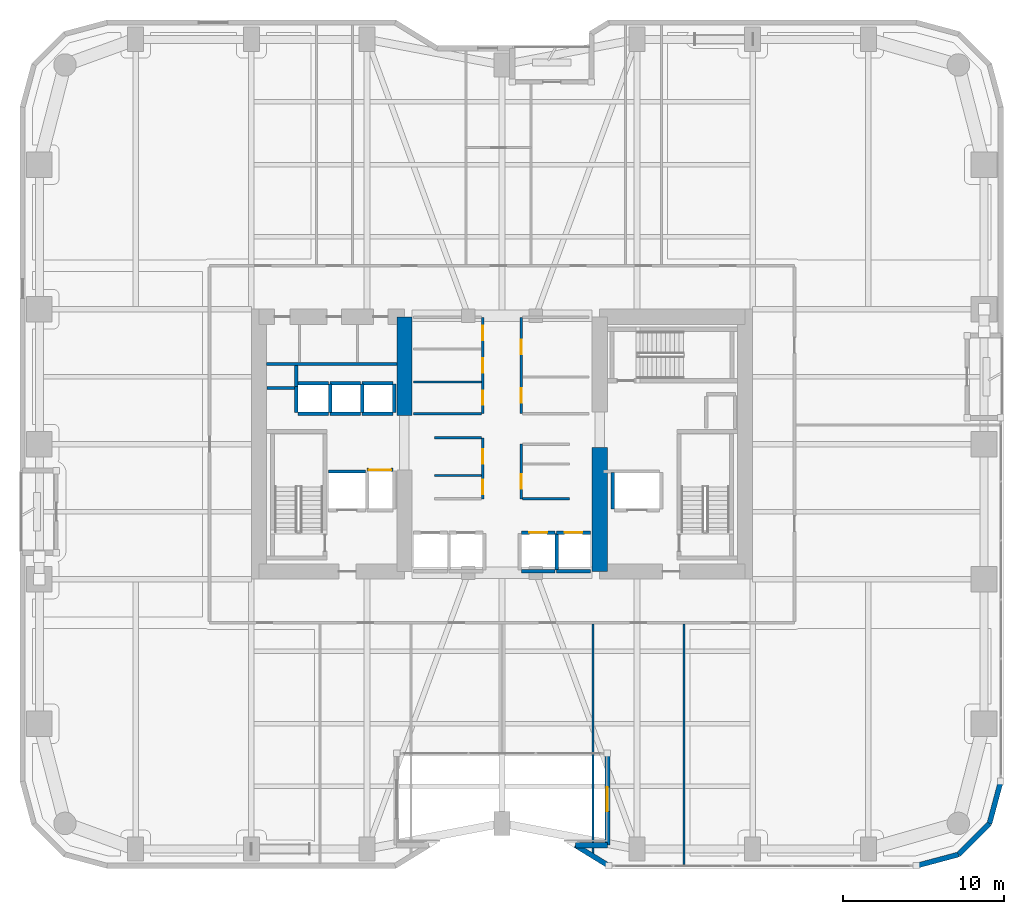
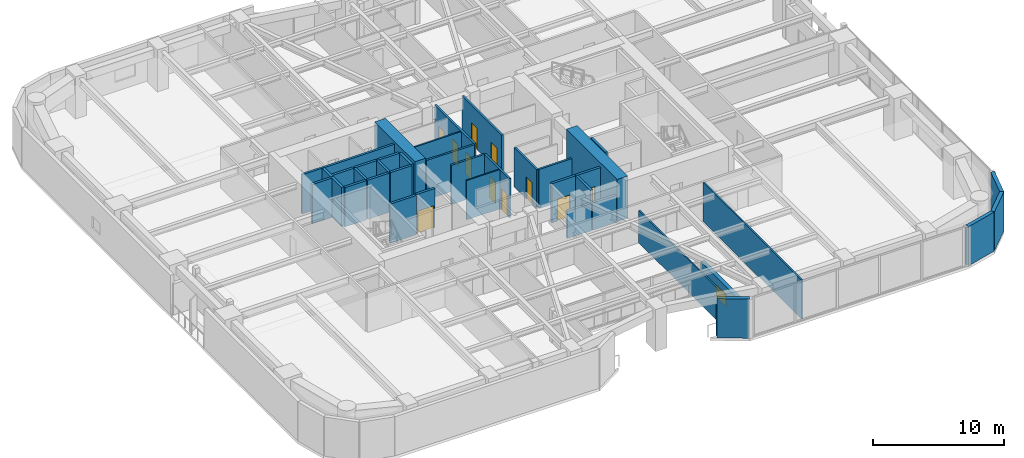
# One storey, part 19 of 26: 40 walls, 11 doors, 1 window, 12 openings.
"""IFC4 building model written with IfcOpenShell, lengths in metres."""

from ifc_helpers import new_model, si_unit, direction, frame, frame_2d, origin, place, context, subcontext, project, spatial, rectangle, extrude, material, layer, layer_set, type_object, element, fill, save


model = new_model("IFC4")

# Units and contexts
model_context = context("Model", 3, precision=1e-05, world=origin(), true_north=direction((0.0, 1.0)))
body_context = subcontext(model_context, "Body", "Model", "MODEL_VIEW")
ifc_project = project(units=[si_unit("LENGTHUNIT", "METRE"), si_unit("AREAUNIT", "SQUARE_METRE"), si_unit("VOLUMEUNIT", "CUBIC_METRE"), si_unit("PLANEANGLEUNIT", "RADIAN"), si_unit("MASSUNIT", "GRAM", prefix="KILO")], contexts=[model_context])

# Site, building, storey
site_placement = place(None, origin())
site = spatial("IfcSite", under=ifc_project, at=site_placement, CompositionType="ELEMENT")
building_placement = place(site_placement, origin())
building = spatial("IfcBuilding", under=site, at=building_placement, Name="Kiyonajd Concourse Tower", CompositionType="ELEMENT")
storey_placement = place(building_placement, frame((0.0, 0.0, 72.89990234375)))
storey = spatial("IfcBuildingStorey", under=building, at=storey_placement, Name="L19", CompositionType="ELEMENT", Elevation=72.89990234375)

# Walls
ifc_material_1 = material(Name="Concrete C80/95", Category="concrete")
ifc_layer_1 = layer(ifc_material_1, 0.949951171875)
ifc_layer_set_1 = layer_set([ifc_layer_1], Name="Concrete C80/95")
wall_type_1 = type_object("IfcWallType", Name="WL-CORE-950", PredefinedType="SHEAR", material=ifc_layer_set_1)
wall_1_placement = place(storey_placement, frame((41.925048828125, 37.800048828125, 0.0), z_axis=(0.0, 0.0, 1.0), x_axis=(0.0, 1.0, 0.0)))
element("IfcWall", 1, at=wall_1_placement, inside=storey, type_object=wall_type_1, Name="L19 West Core Inner North Shear Wall", PredefinedType="SHEAR", context=body_context, shape_type="SweptSolid", body=[
    extrude(rectangle(XDim=6.125, YDim=0.949951171875, at=frame_2d((3.0625, 0.0))), origin(), (0.0, 0.0, 1.0), 3.900146484375),
])
wall_2_placement = place(storey_placement, frame((54.074951171875, 28.074951171875, 0.0), z_axis=(0.0, 0.0, 1.0), x_axis=(0.0, 1.0, 0.0)))
element("IfcWall", 2, at=wall_2_placement, inside=storey, type_object=wall_type_1, Name="L19 East Core Inner South Shear Wall", PredefinedType="SHEAR", context=body_context, shape_type="SweptSolid", body=[
    extrude(rectangle(XDim=7.72509765625, YDim=0.949951171875, at=frame_2d((3.862548828125, 0.0))), origin(), (0.0, 0.0, 1.0), 3.900146484375),
])
ifc_material_2 = material(Name="Precast concrete C50/60", Category="concrete")
ifc_layer_2 = layer(ifc_material_2, 0.320068359375)
ifc_layer_set_2 = layer_set([ifc_layer_2], Name="Precast concrete C50/60")
wall_type_2 = type_object("IfcWallType", Name="WL-EXT-320", PredefinedType="SOLIDWALL", material=ifc_layer_set_2)
wall_3_placement = place(storey_placement, frame((79.0400390625, 15.02099609375, 0.0), z_axis=(0.0, 0.0, 1.0), x_axis=(-0.25869736047, -0.965958423373, 0.0)))
element("IfcWall", 3, at=wall_3_placement, inside=storey, type_object=wall_type_2, Name="L19 Exterior Concrete Frame Wall 06", PredefinedType="SOLIDWALL", context=body_context, shape_type="SweptSolid", body=[
    extrude(rectangle(XDim=2.731201171875, YDim=0.320068359375, at=frame_2d((1.36572265625, 0.0))), origin(), (0.0, 0.0, 1.0), 3.64013671875),
])
wall_4_placement = place(storey_placement, frame((78.33349609375, 12.3828125, 0.0), z_axis=(0.0, 0.0, 1.0), x_axis=(-0.707106781187, -0.707106781187, 0.0)))
element("IfcWall", 4, at=wall_4_placement, inside=storey, type_object=wall_type_2, Name="L19 Exterior Concrete Frame Wall 07", PredefinedType="SOLIDWALL", context=body_context, shape_type="SweptSolid", body=[
    extrude(rectangle(XDim=2.7099609375, YDim=0.320068359375, at=frame_2d((1.35498046875, 0.0))), origin(), (0.0, 0.0, 1.0), 3.64013671875),
])
wall_5_placement = place(storey_placement, frame((76.417236328125, 10.466552734375, 0.0), z_axis=(0.0, 0.0, 1.0), x_axis=(-0.965964405026, -0.25867502435, 0.0)))
element("IfcWall", 5, at=wall_5_placement, inside=storey, type_object=wall_type_2, Name="L19 Exterior Concrete Frame Wall 08", PredefinedType="SOLIDWALL", context=body_context, shape_type="SweptSolid", body=[
    extrude(rectangle(XDim=2.7314453125, YDim=0.320068359375, at=frame_2d((1.36572265625, 0.0))), origin(), (0.0, 0.0, 1.0), 3.64013671875),
])
wall_6_placement = place(storey_placement, frame((54.645263671875, 9.760009765625, 0.0), z_axis=(0.0, 0.0, 1.0), x_axis=(-0.8516617488, 0.524091848469, 0.0)))
element("IfcWall", 6, at=wall_6_placement, inside=storey, type_object=wall_type_2, Name="L19 Exterior Concrete Frame Wall 10", PredefinedType="SOLIDWALL", context=body_context, shape_type="SweptSolid", body=[
    extrude(rectangle(XDim=2.4423828125, YDim=0.320068359375, at=frame_2d((1.22119140625, 0.0))), origin(), (0.0, 0.0, 1.0), 3.64013671875),
])
wall_7_placement = place(storey_placement, frame((52.565185546875, 11.0400390625, 0.0), z_axis=(0.0, 0.0, 1.0), x_axis=(1.0, 0.0, 0.0)))
element("IfcWall", 7, at=wall_7_placement, inside=storey, type_object=wall_type_2, Name="L19 Exterior Concrete Frame Wall 11", PredefinedType="SOLIDWALL", context=body_context, shape_type="SweptSolid", body=[
    extrude(rectangle(XDim=1.994873046875, YDim=0.320068359375, at=frame_2d((0.99755859375, 0.0))), origin(), (0.0, 0.0, 1.0), 2.875),
])

# Wall, opening, window
wall_8_placement = place(storey_placement, frame((54.56005859375, 11.0400390625, 0.0), z_axis=(0.0, 0.0, 1.0), x_axis=(0.0, 1.0, 0.0)))
wall_8 = element("IfcWall", 8, at=wall_8_placement, inside=storey, type_object=wall_type_2, Name="L19 Exterior Concrete Frame Wall 12", PredefinedType="SOLIDWALL", context=body_context, shape_type="SweptSolid", body=[
    extrude(rectangle(XDim=5.719970703125, YDim=0.320068359375, at=frame_2d((2.85986328125, 0.0))), origin(), (0.0, 0.0, 1.0), 2.875),
])
opening_1_placement = place(wall_8_placement, frame((2.110107421875, 0.0, 0.85009765625)))
opening_1 = element("IfcOpeningElement", 9, at=opening_1_placement, cuts=wall_8, Name="Opening WN2", PredefinedType="OPENING", context=body_context, shape_type="SweptSolid", body=[
    extrude(rectangle(XDim=1.5, YDim=1.10009765625, at=frame_2d((0.75, 0.550048828125))), frame((0.0, 0.169921875, 0.0), z_axis=(0.0, -1.0, 0.0), x_axis=(1.0, 0.0, 0.0)), (0.0, 0.0, 1.0), 0.340087890625),
])
ifc_material_3 = material(Name="Double Low-E Insulated Glass", Category="glass")
window_type = type_object("IfcWindowType", Name="WN-VIS-1500x1100", PartitioningType="SINGLE_PANEL", PredefinedType="WINDOW", material=ifc_material_3)
window_placement = place(opening_1_placement, origin())
window = element("IfcWindow", 10, at=window_placement, inside=storey, type_object=window_type, Name="L19 Modular Facade Vision Window 12", OverallHeight=1.10009765625, OverallWidth=1.5, PartitioningType="SINGLE_PANEL", PredefinedType="WINDOW", context=body_context, shape_type="SweptSolid", body=[
    extrude(rectangle(XDim=1.5, YDim=1.10009765625, at=frame_2d((0.75, 0.550048828125))), frame((0.0, 0.030029296875, 0.0), z_axis=(0.0, -1.0, 0.0), x_axis=(1.0, 0.0, 0.0)), (0.0, 0.0, 1.0), 0.06005859375),
])
fill(opening_1, window)

# Walls
ifc_material_4 = material(Name="Gypsum Board on Cold-Formed Steel Stud", Category="steel")
ifc_layer_3 = layer(ifc_material_4, 0.125)
ifc_layer_set_3 = layer_set([ifc_layer_3], Name="Gypsum Board on Cold-Formed Steel Stud")
wall_type_3 = type_object("IfcWallType", Name="WL-PART-125", PredefinedType="PARTITIONING", material=ifc_layer_set_3)
wall_9_placement = place(storey_placement, frame((43.800048828125, 34.0439453125, 0.0), z_axis=(0.0, 0.0, 1.0), x_axis=(1.0, 0.0, 0.0)))
element("IfcWall", 11, at=wall_9_placement, inside=storey, type_object=wall_type_3, Name="L19 Interior Partition Wall", PredefinedType="PARTITIONING", context=body_context, shape_type="SweptSolid", body=[
    extrude(rectangle(XDim=2.912841796875, YDim=0.125, at=frame_2d((1.45654296875, 0.0))), origin(), (0.0, 0.0, 1.0), 3.64013671875),
])
wall_10_placement = place(storey_placement, frame((42.5, 39.8798828125, 0.0), z_axis=(0.0, 0.0, 1.0), x_axis=(1.0, 0.0, 0.0)))
element("IfcWall", 12, at=wall_10_placement, inside=storey, type_object=wall_type_3, Name="L19 Interior Partition Wall", PredefinedType="PARTITIONING", context=body_context, shape_type="SweptSolid", body=[
    extrude(rectangle(XDim=4.212890625, YDim=0.125, at=frame_2d((2.1064453125, 0.0))), origin(), (0.0, 0.0, 1.0), 3.64013671875),
])
wall_11_placement = place(storey_placement, frame((53.669921875, 10.514892578125, 0.0), z_axis=(0.0, 0.0, 1.0), x_axis=(0.0, 1.0, 0.0)))
element("IfcWall", 13, at=wall_11_placement, inside=storey, type_object=wall_type_3, Name="L19 Interior Partition Wall", PredefinedType="PARTITIONING", context=body_context, shape_type="SweptSolid", body=[
    extrude(rectangle(XDim=14.2880859375, YDim=0.125, at=frame_2d((7.14404296875, 0.0))), origin(), (0.0, 0.0, 1.0), 3.003173828125),
])
wall_12_placement = place(storey_placement, frame((59.330078125, 9.844970703125, 0.0), z_axis=(0.0, 0.0, 1.0), x_axis=(0.0, 1.0, 0.0)))
element("IfcWall", 14, at=wall_12_placement, inside=storey, type_object=wall_type_3, Name="L19 Interior Partition Wall", PredefinedType="PARTITIONING", context=body_context, shape_type="SweptSolid", body=[
    extrude(rectangle(XDim=14.9580078125, YDim=0.125, at=frame_2d((7.47900390625, 0.0))), origin(), (0.0, 0.0, 1.0), 3.64013671875),
])
ifc_layer_4 = layer(ifc_material_4, 0.18994140625)
ifc_layer_set_4 = layer_set([ifc_layer_4], Name="Gypsum Board on Cold-Formed Steel Stud")
wall_type_4 = type_object("IfcWallType", Name="WL-PLMB-190", PredefinedType="PLUMBINGWALL", material=ifc_layer_set_4)
wall_13_placement = place(storey_placement, frame((33.35009765625, 41.0, 0.0), z_axis=(0.0, 0.0, 1.0), x_axis=(1.0, 0.0, 0.0)))
element("IfcWall", 15, at=wall_13_placement, inside=storey, type_object=wall_type_4, Name="L19 Interior Partition Wall", PredefinedType="PLUMBINGWALL", context=body_context, shape_type="SweptSolid", body=[
    extrude(rectangle(XDim=8.099853515625, YDim=0.18994140625, at=frame_2d((4.0498046875, 0.0))), origin(), (0.0, 0.0, 1.0), 3.64013671875),
])
ifc_layer_5 = layer(ifc_material_4, 0.2099609375)
ifc_layer_set_5 = layer_set([ifc_layer_5], Name="Gypsum Board on Cold-Formed Steel Stud")
wall_type_5 = type_object("IfcWallType", Name="WL-SHAFT-210", PredefinedType="PARTITIONING", material=ifc_layer_set_5)
wall_14_placement = place(storey_placement, frame((33.360107421875, 39.5, 0.0), z_axis=(0.0, 0.0, 1.0), x_axis=(1.0, 0.0, 0.0)))
element("IfcWall", 16, at=wall_14_placement, inside=storey, type_object=wall_type_5, Name="L19 Shaft Enclosure Wall", PredefinedType="PARTITIONING", context=body_context, shape_type="SweptSolid", body=[
    extrude(rectangle(XDim=1.85986328125, YDim=0.2099609375, at=frame_2d((0.929931640625, 0.0))), origin(), (0.0, 0.0, 1.0), 3.64013671875),
])
wall_15_placement = place(storey_placement, frame((35.199951171875, 39.580078125, 0.0), z_axis=(0.0, 0.0, 1.0), x_axis=(0.0, 1.0, 0.0)))
element("IfcWall", 17, at=wall_15_placement, inside=storey, type_object=wall_type_5, Name="L19 Shaft Enclosure Wall", PredefinedType="PARTITIONING", context=body_context, shape_type="SweptSolid", body=[
    extrude(rectangle(XDim=1.31982421875, YDim=0.2099609375, at=frame_2d((0.659912109375, 0.0))), origin(), (0.0, 0.0, 1.0), 3.64013671875),
])
wall_16_placement = place(storey_placement, frame((37.199951171875, 34.300048828125, 0.0), z_axis=(0.0, 0.0, 1.0), x_axis=(1.0, 0.0, 0.0)))
element("IfcWall", 18, at=wall_16_placement, inside=storey, type_object=wall_type_5, Name="L19 Shaft Enclosure Wall", PredefinedType="PARTITIONING", context=body_context, shape_type="SweptSolid", body=[
    extrude(rectangle(XDim=2.300048828125, YDim=0.2099609375, at=frame_2d((1.14990234375, 0.0))), origin(), (0.0, 0.0, 1.0), 3.64013671875),
])
wall_17_placement = place(storey_placement, frame((54.89990234375, 31.9599609375, 0.0), z_axis=(0.0, 0.0, 1.0), x_axis=(0.0, 1.0, 0.0)))
element("IfcWall", 19, at=wall_17_placement, inside=storey, type_object=wall_type_5, Name="L19 Shaft Enclosure Wall", PredefinedType="PARTITIONING", context=body_context, shape_type="SweptSolid", body=[
    extrude(rectangle(XDim=2.280029296875, YDim=0.2099609375, at=frame_2d((1.14013671875, 0.0))), origin(), (0.0, 0.0, 1.0), 3.64013671875),
])

# Wall, opening, door
wall_18_placement = place(storey_placement, frame((39.60009765625, 34.39990234375, 0.0), z_axis=(0.0, 0.0, 1.0), x_axis=(1.0, 0.0, 0.0)))
wall_18 = element("IfcWall", 20, at=wall_18_placement, inside=storey, type_object=wall_type_5, Name="L19 Shaft Enclosure Wall", PredefinedType="PARTITIONING", context=body_context, shape_type="SweptSolid", body=[
    extrude(rectangle(XDim=1.599853515625, YDim=0.2099609375, at=frame_2d((0.7998046875, 0.0))), origin(), (0.0, 0.0, 1.0), 3.64013671875),
])
opening_2_placement = place(wall_18_placement, frame((0.10009765625, 0.0, 0.0)))
opening_2 = element("IfcOpeningElement", 21, at=opening_2_placement, cuts=wall_18, Name="Opening LD3", PredefinedType="OPENING", context=body_context, shape_type="SweptSolid", body=[
    extrude(rectangle(XDim=1.39990234375, YDim=2.06005859375, at=frame_2d((0.699951171875, 1.030029296875))), frame((0.0, 0.114990234375, 0.0), z_axis=(0.0, -1.0, 0.0), x_axis=(1.0, 0.0, 0.0)), (0.0, 0.0, 1.0), 0.22998046875),
])
ifc_material_5 = material(Name="Brushed Stainless Steel Cab Assembly", Category="steel")
door_type_1 = type_object("IfcDoorType", Name="DR-LD-1400", OperationType="DOUBLE_DOOR_SLIDING", PredefinedType="DOOR", material=ifc_material_5)
door_1_placement = place(opening_2_placement, origin())
door_1 = element("IfcDoor", 22, at=door_1_placement, inside=storey, type_object=door_type_1, Name="L19 Lift SVL1 Sliding Landing Door", OperationType="DOUBLE_DOOR_SLIDING", OverallHeight=2.06005859375, OverallWidth=1.39990234375, PredefinedType="DOOR", context=body_context, shape_type="SweptSolid", body=[
    extrude(rectangle(XDim=1.39990234375, YDim=2.06005859375, at=frame_2d((0.699951171875, 1.030029296875))), frame((0.0, 0.02490234375, 0.0), z_axis=(0.0, -1.0, 0.0), x_axis=(1.0, 0.0, 0.0)), (0.0, 0.0, 1.0), 0.050048828125),
])
fill(opening_2, door_1)

wall_19_placement = place(storey_placement, frame((49.199951171875, 30.5, 0.0), z_axis=(0.0, 0.0, 1.0), x_axis=(1.0, 0.0, 0.0)))
wall_19 = element("IfcWall", 23, at=wall_19_placement, inside=storey, type_object=wall_type_5, Name="L19 Shaft Enclosure Wall", PredefinedType="PARTITIONING", context=body_context, shape_type="SweptSolid", body=[
    extrude(rectangle(XDim=2.10009765625, YDim=0.2099609375, at=frame_2d((1.050048828125, 0.0))), origin(), (0.0, 0.0, 1.0), 3.64013671875),
])
opening_3_placement = place(wall_19_placement, frame((0.5, 0.0, 0.0)))
opening_3 = element("IfcOpeningElement", 24, at=opening_3_placement, cuts=wall_19, Name="Opening LD1", PredefinedType="OPENING", context=body_context, shape_type="SweptSolid", body=[
    extrude(rectangle(XDim=1.10009765625, YDim=2.0400390625, at=frame_2d((0.550048828125, 1.02001953125))), frame((0.0, 0.114990234375, 0.0), z_axis=(0.0, -1.0, 0.0), x_axis=(1.0, 0.0, 0.0)), (0.0, 0.0, 1.0), 0.22998046875),
])
door_type_2 = type_object("IfcDoorType", Name="DR-LD-1100", OperationType="DOUBLE_DOOR_SLIDING", PredefinedType="DOOR", material=ifc_material_5)
door_2_placement = place(opening_3_placement, origin())
door_2 = element("IfcDoor", 25, at=door_2_placement, inside=storey, type_object=door_type_2, Name="L19 Lift PL-L3 Sliding Landing Door", OperationType="DOUBLE_DOOR_SLIDING", OverallHeight=2.0400390625, OverallWidth=1.10009765625, PredefinedType="DOOR", context=body_context, shape_type="SweptSolid", body=[
    extrude(rectangle(XDim=1.10009765625, YDim=2.0400390625, at=frame_2d((0.550048828125, 1.02001953125))), frame((0.0, 0.02490234375, 0.0), z_axis=(0.0, -1.0, 0.0), x_axis=(1.0, 0.0, 0.0)), (0.0, 0.0, 1.0), 0.050048828125),
])
fill(opening_3, door_2)

# Walls
wall_20_placement = place(storey_placement, frame((49.199951171875, 28.10009765625, 0.0), z_axis=(0.0, 0.0, 1.0), x_axis=(1.0, 0.0, 0.0)))
element("IfcWall", 26, at=wall_20_placement, inside=storey, type_object=wall_type_5, Name="L19 Shaft Enclosure Wall", PredefinedType="PARTITIONING", context=body_context, shape_type="SweptSolid", body=[
    extrude(rectangle(XDim=2.10009765625, YDim=0.2099609375, at=frame_2d((1.050048828125, 0.0))), origin(), (0.0, 0.0, 1.0), 2.525146484375),
])
wall_21_placement = place(storey_placement, frame((51.39990234375, 28.159912109375, 0.0), z_axis=(0.0, 0.0, 1.0), x_axis=(0.0, 1.0, 0.0)))
element("IfcWall", 27, at=wall_21_placement, inside=storey, type_object=wall_type_5, Name="L19 Shaft Enclosure Wall", PredefinedType="PARTITIONING", context=body_context, shape_type="SweptSolid", body=[
    extrude(rectangle(XDim=2.280029296875, YDim=0.2099609375, at=frame_2d((1.14013671875, 0.0))), origin(), (0.0, 0.0, 1.0), 3.64013671875),
])

# Wall, opening, door
wall_22_placement = place(storey_placement, frame((51.39990234375, 30.5, 0.0), z_axis=(0.0, 0.0, 1.0), x_axis=(1.0, 0.0, 0.0)))
wall_22 = element("IfcWall", 28, at=wall_22_placement, inside=storey, type_object=wall_type_5, Name="L19 Shaft Enclosure Wall", PredefinedType="PARTITIONING", context=body_context, shape_type="SweptSolid", body=[
    extrude(rectangle(XDim=2.10009765625, YDim=0.2099609375, at=frame_2d((1.050048828125, 0.0))), origin(), (0.0, 0.0, 1.0), 3.64013671875),
])
opening_4_placement = place(wall_22_placement, frame((0.5, 0.0, 0.0)))
opening_4 = element("IfcOpeningElement", 29, at=opening_4_placement, cuts=wall_22, Name="Opening LD1", PredefinedType="OPENING", context=body_context, shape_type="SweptSolid", body=[
    extrude(rectangle(XDim=1.10009765625, YDim=2.0400390625, at=frame_2d((0.550048828125, 1.02001953125))), frame((0.0, 0.114990234375, 0.0), z_axis=(0.0, -1.0, 0.0), x_axis=(1.0, 0.0, 0.0)), (0.0, 0.0, 1.0), 0.22998046875),
])
door_3_placement = place(opening_4_placement, origin())
door_3 = element("IfcDoor", 30, at=door_3_placement, inside=storey, type_object=door_type_2, Name="L19 Lift PL-L4 Sliding Landing Door", OperationType="DOUBLE_DOOR_SLIDING", OverallHeight=2.0400390625, OverallWidth=1.10009765625, PredefinedType="DOOR", context=body_context, shape_type="SweptSolid", body=[
    extrude(rectangle(XDim=1.10009765625, YDim=2.0400390625, at=frame_2d((0.550048828125, 1.02001953125))), frame((0.0, 0.02490234375, 0.0), z_axis=(0.0, -1.0, 0.0), x_axis=(1.0, 0.0, 0.0)), (0.0, 0.0, 1.0), 0.050048828125),
])
fill(opening_4, door_3)

# Walls
wall_23_placement = place(storey_placement, frame((51.39990234375, 28.10009765625, 0.0), z_axis=(0.0, 0.0, 1.0), x_axis=(1.0, 0.0, 0.0)))
element("IfcWall", 31, at=wall_23_placement, inside=storey, type_object=wall_type_5, Name="L19 Shaft Enclosure Wall", PredefinedType="PARTITIONING", context=body_context, shape_type="SweptSolid", body=[
    extrude(rectangle(XDim=2.10009765625, YDim=0.2099609375, at=frame_2d((1.050048828125, 0.0))), origin(), (0.0, 0.0, 1.0), 2.525146484375),
])
for number, where, z_axis, x_axis, name in (
    (32, (35.300048828125, 37.89990234375, 0.0), (0.0, 0.0, 1.0), (1.0, 0.0, 0.0), "L19 Shaft Enclosure Wall"),
    (33, (35.300048828125, 39.800048828125, 0.0), (0.0, 0.0, 1.0), (1.0, 0.0, 0.0), "L19 Shaft Enclosure Wall"),
):
    element("IfcWall", number, at=place(storey_placement, frame(where, z_axis=z_axis, x_axis=x_axis)), inside=storey, type_object=wall_type_5, Name=name, PredefinedType="PARTITIONING", context=body_context, shape_type="SweptSolid", body=[
        extrude(rectangle(XDim=1.89990234375, YDim=0.2099609375, at=frame_2d((0.949951171875, 0.0))), origin(), (0.0, 0.0, 1.0), 3.64013671875),
    ])
wall_24_placement = place(storey_placement, frame((35.199951171875, 37.9599609375, 0.0), z_axis=(0.0, 0.0, 1.0), x_axis=(0.0, 1.0, 0.0)))
element("IfcWall", 34, at=wall_24_placement, inside=storey, type_object=wall_type_5, Name="L19 Shaft Enclosure Wall", PredefinedType="PARTITIONING", context=body_context, shape_type="SweptSolid", body=[
    extrude(rectangle(XDim=1.6201171875, YDim=0.2099609375, at=frame_2d((0.81005859375, 0.0))), origin(), (0.0, 0.0, 1.0), 3.64013671875),
])
wall_25_placement = place(storey_placement, frame((37.300048828125, 37.9599609375, 0.0), z_axis=(0.0, 0.0, 1.0), x_axis=(0.0, 1.0, 0.0)))
element("IfcWall", 35, at=wall_25_placement, inside=storey, type_object=wall_type_5, Name="L19 Shaft Enclosure Wall", PredefinedType="PARTITIONING", context=body_context, shape_type="SweptSolid", body=[
    extrude(rectangle(XDim=1.780029296875, YDim=0.2099609375, at=frame_2d((0.89013671875, 0.0))), origin(), (0.0, 0.0, 1.0), 3.64013671875),
])
for number, where, z_axis, x_axis, name in (
    (36, (37.300048828125, 37.89990234375, 0.0), (0.0, 0.0, 1.0), (1.0, 0.0, 0.0), "L19 Shaft Enclosure Wall"),
    (37, (37.300048828125, 39.800048828125, 0.0), (0.0, 0.0, 1.0), (1.0, 0.0, 0.0), "L19 Shaft Enclosure Wall"),
):
    element("IfcWall", number, at=place(storey_placement, frame(where, z_axis=z_axis, x_axis=x_axis)), inside=storey, type_object=wall_type_5, Name=name, PredefinedType="PARTITIONING", context=body_context, shape_type="SweptSolid", body=[
        extrude(rectangle(XDim=1.89990234375, YDim=0.2099609375, at=frame_2d((0.949951171875, 0.0))), origin(), (0.0, 0.0, 1.0), 3.64013671875),
    ])
wall_26_placement = place(storey_placement, frame((39.300048828125, 37.9599609375, 0.0), z_axis=(0.0, 0.0, 1.0), x_axis=(0.0, 1.0, 0.0)))
element("IfcWall", 38, at=wall_26_placement, inside=storey, type_object=wall_type_5, Name="L19 Shaft Enclosure Wall", PredefinedType="PARTITIONING", context=body_context, shape_type="SweptSolid", body=[
    extrude(rectangle(XDim=1.780029296875, YDim=0.2099609375, at=frame_2d((0.89013671875, 0.0))), origin(), (0.0, 0.0, 1.0), 3.64013671875),
])
for number, where, z_axis, x_axis, name in (
    (39, (39.300048828125, 37.89990234375, 0.0), (0.0, 0.0, 1.0), (1.0, 0.0, 0.0), "L19 Shaft Enclosure Wall"),
    (40, (39.300048828125, 39.800048828125, 0.0), (0.0, 0.0, 1.0), (1.0, 0.0, 0.0), "L19 Shaft Enclosure Wall"),
):
    element("IfcWall", number, at=place(storey_placement, frame(where, z_axis=z_axis, x_axis=x_axis)), inside=storey, type_object=wall_type_5, Name=name, PredefinedType="PARTITIONING", context=body_context, shape_type="SweptSolid", body=[
        extrude(rectangle(XDim=1.89990234375, YDim=0.2099609375, at=frame_2d((0.949951171875, 0.0))), origin(), (0.0, 0.0, 1.0), 3.64013671875),
    ])
wall_27_placement = place(storey_placement, frame((41.300048828125, 37.9599609375, 0.0), z_axis=(0.0, 0.0, 1.0), x_axis=(0.0, 1.0, 0.0)))
element("IfcWall", 41, at=wall_27_placement, inside=storey, type_object=wall_type_5, Name="L19 Shaft Enclosure Wall", PredefinedType="PARTITIONING", context=body_context, shape_type="SweptSolid", body=[
    extrude(rectangle(XDim=1.780029296875, YDim=0.2099609375, at=frame_2d((0.89013671875, 0.0))), origin(), (0.0, 0.0, 1.0), 3.64013671875),
])

# Wall, openings, doors
ifc_layer_6 = layer(ifc_material_4, 0.169921875)
ifc_layer_set_6 = layer_set([ifc_layer_6], Name="Gypsum Board on Cold-Formed Steel Stud")
wall_type_6 = type_object("IfcWallType", Name="WL-SMK-170", PredefinedType="PARTITIONING", material=ifc_layer_set_6)
wall_28_placement = place(storey_placement, frame((46.800048828125, 32.60009765625, 0.0), z_axis=(0.0, 0.0, 1.0), x_axis=(0.0, 1.0, 0.0)))
wall_28 = element("IfcWall", 42, at=wall_28_placement, inside=storey, type_object=wall_type_6, Name="L19 Interior Partition Wall", PredefinedType="PARTITIONING", context=body_context, shape_type="SweptSolid", body=[
    extrude(rectangle(XDim=3.7998046875, YDim=0.169921875, at=frame_2d((1.89990234375, 0.0))), origin(), (0.0, 0.0, 1.0), 3.64013671875),
])
opening_5_placement = place(wall_28_placement, frame((0.27197265625, 0.0, 0.0)))
opening_5 = element("IfcOpeningElement", 43, at=opening_5_placement, cuts=wall_28, Name="Opening DI2", PredefinedType="OPENING", context=body_context, shape_type="SweptSolid", body=[
    extrude(rectangle(XDim=0.89990234375, YDim=2.02001953125, at=frame_2d((0.449951171875, 1.010009765625))), frame((0.0, 0.094970703125, 0.0), z_axis=(0.0, -1.0, 0.0), x_axis=(1.0, 0.0, 0.0)), (0.0, 0.0, 1.0), 0.18994140625),
])
opening_6_placement = place(wall_28_placement, frame((2.172119140625, 0.0, 0.0)))
opening_6 = element("IfcOpeningElement", 44, at=opening_6_placement, cuts=wall_28, Name="Opening DI2", PredefinedType="OPENING", context=body_context, shape_type="SweptSolid", body=[
    extrude(rectangle(XDim=0.89990234375, YDim=2.02001953125, at=frame_2d((0.449951171875, 1.010009765625))), frame((0.0, 0.094970703125, 0.0), z_axis=(0.0, -1.0, 0.0), x_axis=(1.0, 0.0, 0.0)), (0.0, 0.0, 1.0), 0.18994140625),
])
ifc_material_6 = material(Name="Natural Oak Acoustic Timber Veneer", Category="wood")
door_type_3 = type_object("IfcDoorType", Name="DR-INT-900", OperationType="NOTDEFINED", PredefinedType="DOOR", material=ifc_material_6)
door_4_placement = place(opening_5_placement, origin())
door_4 = element("IfcDoor", 45, at=door_4_placement, inside=storey, type_object=door_type_3, Name="L19 Interior Door", OperationType="SINGLE_SWING_RIGHT", OverallHeight=2.02001953125, OverallWidth=0.89990234375, PredefinedType="DOOR", context=body_context, shape_type="SweptSolid", body=[
    extrude(rectangle(XDim=0.89990234375, YDim=2.02001953125, at=frame_2d((0.449951171875, 1.010009765625))), frame((0.0, 0.02490234375, 0.0), z_axis=(0.0, -1.0, 0.0), x_axis=(1.0, 0.0, 0.0)), (0.0, 0.0, 1.0), 0.050048828125),
])
fill(opening_5, door_4)
door_5_placement = place(opening_6_placement, origin())
door_5 = element("IfcDoor", 46, at=door_5_placement, inside=storey, type_object=door_type_3, Name="L19 Interior Door", OperationType="SINGLE_SWING_LEFT", OverallHeight=2.02001953125, OverallWidth=0.89990234375, PredefinedType="DOOR", context=body_context, shape_type="SweptSolid", body=[
    extrude(rectangle(XDim=0.89990234375, YDim=2.02001953125, at=frame_2d((0.449951171875, 1.010009765625))), frame((0.0, 0.02490234375, 0.0), z_axis=(0.0, -1.0, 0.0), x_axis=(1.0, 0.0, 0.0)), (0.0, 0.0, 1.0), 0.050048828125),
])
fill(opening_6, door_5)

# Wall
wall_29_placement = place(storey_placement, frame((43.800048828125, 36.39990234375, 0.0), z_axis=(0.0, 0.0, 1.0), x_axis=(1.0, 0.0, 0.0)))
element("IfcWall", 47, at=wall_29_placement, inside=storey, type_object=wall_type_6, Name="L19 Interior Partition Wall", PredefinedType="PARTITIONING", context=body_context, shape_type="SweptSolid", body=[
    extrude(rectangle(XDim=2.912841796875, YDim=0.169921875, at=frame_2d((1.45654296875, 0.0))), origin(), (0.0, 0.0, 1.0), 3.64013671875),
])

# Wall, opening, door
wall_30_placement = place(storey_placement, frame((49.199951171875, 32.60009765625, 0.0), z_axis=(0.0, 0.0, 1.0), x_axis=(0.0, 1.0, 0.0)))
wall_30 = element("IfcWall", 48, at=wall_30_placement, inside=storey, type_object=wall_type_6, Name="L19 Interior Partition Wall", PredefinedType="PARTITIONING", context=body_context, shape_type="SweptSolid", body=[
    extrude(rectangle(XDim=3.39990234375, YDim=0.169921875, at=frame_2d((1.699951171875, 0.0))), origin(), (0.0, 0.0, 1.0), 3.64013671875),
])
opening_7_placement = place(wall_30_placement, frame((0.637939453125, 0.0, 0.0)))
opening_7 = element("IfcOpeningElement", 49, at=opening_7_placement, cuts=wall_30, Name="Opening DF4", PredefinedType="OPENING", context=body_context, shape_type="SweptSolid", body=[
    extrude(rectangle(XDim=0.89990234375, YDim=2.02001953125, at=frame_2d((0.449951171875, 1.010009765625))), frame((0.0, 0.094970703125, 0.0), z_axis=(0.0, -1.0, 0.0), x_axis=(1.0, 0.0, 0.0)), (0.0, 0.0, 1.0), 0.18994140625),
])
door_type_4 = type_object("IfcDoorType", Name="DR-FD60-900", OperationType="NOTDEFINED", PredefinedType="DOOR", material=ifc_material_5)
door_6_placement = place(opening_7_placement, origin())
door_6 = element("IfcDoor", 50, at=door_6_placement, inside=storey, type_object=door_type_4, Name="L19 Interior Door", OperationType="SINGLE_SWING_RIGHT", OverallHeight=2.02001953125, OverallWidth=0.89990234375, PredefinedType="DOOR", context=body_context, shape_type="SweptSolid", body=[
    extrude(rectangle(XDim=0.89990234375, YDim=2.02001953125, at=frame_2d((0.449951171875, 1.010009765625))), frame((0.0, 0.02490234375, 0.0), z_axis=(0.0, -1.0, 0.0), x_axis=(1.0, 0.0, 0.0)), (0.0, 0.0, 1.0), 0.050048828125),
])
fill(opening_7, door_6)

# Wall
wall_31_placement = place(storey_placement, frame((49.287109375, 32.60009765625, 0.0), z_axis=(0.0, 0.0, 1.0), x_axis=(1.0, 0.0, 0.0)))
element("IfcWall", 51, at=wall_31_placement, inside=storey, type_object=wall_type_6, Name="L19 Interior Partition Wall", PredefinedType="PARTITIONING", context=body_context, shape_type="SweptSolid", body=[
    extrude(rectangle(XDim=2.912841796875, YDim=0.169921875, at=frame_2d((1.45654296875, 0.0))), origin(), (0.0, 0.0, 1.0), 3.64013671875),
])

# Wall, openings, doors
wall_32_placement = place(storey_placement, frame((46.800048828125, 37.89990234375, 0.0), z_axis=(0.0, 0.0, 1.0), x_axis=(0.0, 1.0, 0.0)))
wall_32 = element("IfcWall", 52, at=wall_32_placement, inside=storey, type_object=wall_type_6, Name="L19 Interior Partition Wall", PredefinedType="PARTITIONING", context=body_context, shape_type="SweptSolid", body=[
    extrude(rectangle(XDim=6.0, YDim=0.169921875, at=frame_2d((3.0, 0.0))), origin(), (0.0, 0.0, 1.0), 3.64013671875),
])
opening_8_placement = place(wall_32_placement, frame((0.5400390625, 0.0, 0.0)))
opening_8 = element("IfcOpeningElement", 53, at=opening_8_placement, cuts=wall_32, Name="Opening DI2", PredefinedType="OPENING", context=body_context, shape_type="SweptSolid", body=[
    extrude(rectangle(XDim=0.89990234375, YDim=2.02001953125, at=frame_2d((0.449951171875, 1.010009765625))), frame((0.0, 0.094970703125, 0.0), z_axis=(0.0, -1.0, 0.0), x_axis=(1.0, 0.0, 0.0)), (0.0, 0.0, 1.0), 0.18994140625),
])
opening_9_placement = place(wall_32_placement, frame((2.550048828125, 0.0, 0.0)))
opening_9 = element("IfcOpeningElement", 54, at=opening_9_placement, cuts=wall_32, Name="Opening DI2", PredefinedType="OPENING", context=body_context, shape_type="SweptSolid", body=[
    extrude(rectangle(XDim=0.89990234375, YDim=2.02001953125, at=frame_2d((0.449951171875, 1.010009765625))), frame((0.0, 0.094970703125, 0.0), z_axis=(0.0, -1.0, 0.0), x_axis=(1.0, 0.0, 0.0)), (0.0, 0.0, 1.0), 0.18994140625),
])
opening_10_placement = place(wall_32_placement, frame((4.56005859375, 0.0, 0.0)))
opening_10 = element("IfcOpeningElement", 55, at=opening_10_placement, cuts=wall_32, Name="Opening DI2", PredefinedType="OPENING", context=body_context, shape_type="SweptSolid", body=[
    extrude(rectangle(XDim=0.89990234375, YDim=2.02001953125, at=frame_2d((0.449951171875, 1.010009765625))), frame((0.0, 0.094970703125, 0.0), z_axis=(0.0, -1.0, 0.0), x_axis=(1.0, 0.0, 0.0)), (0.0, 0.0, 1.0), 0.18994140625),
])
door_7_placement = place(opening_8_placement, origin())
door_7 = element("IfcDoor", 56, at=door_7_placement, inside=storey, type_object=door_type_3, Name="L19 Interior Door", OperationType="SINGLE_SWING_LEFT", OverallHeight=2.02001953125, OverallWidth=0.89990234375, PredefinedType="DOOR", context=body_context, shape_type="SweptSolid", body=[
    extrude(rectangle(XDim=0.89990234375, YDim=2.02001953125, at=frame_2d((0.449951171875, 1.010009765625))), frame((0.0, 0.02490234375, 0.0), z_axis=(0.0, -1.0, 0.0), x_axis=(1.0, 0.0, 0.0)), (0.0, 0.0, 1.0), 0.050048828125),
])
fill(opening_8, door_7)
door_8_placement = place(opening_9_placement, origin())
door_8 = element("IfcDoor", 57, at=door_8_placement, inside=storey, type_object=door_type_3, Name="L19 Interior Door", OperationType="SINGLE_SWING_RIGHT", OverallHeight=2.02001953125, OverallWidth=0.89990234375, PredefinedType="DOOR", context=body_context, shape_type="SweptSolid", body=[
    extrude(rectangle(XDim=0.89990234375, YDim=2.02001953125, at=frame_2d((0.449951171875, 1.010009765625))), frame((0.0, 0.02490234375, 0.0), z_axis=(0.0, -1.0, 0.0), x_axis=(1.0, 0.0, 0.0)), (0.0, 0.0, 1.0), 0.050048828125),
])
fill(opening_9, door_8)
door_9_placement = place(opening_10_placement, origin())
door_9 = element("IfcDoor", 58, at=door_9_placement, inside=storey, type_object=door_type_3, Name="L19 Interior Door", OperationType="SINGLE_SWING_LEFT", OverallHeight=2.02001953125, OverallWidth=0.89990234375, PredefinedType="DOOR", context=body_context, shape_type="SweptSolid", body=[
    extrude(rectangle(XDim=0.89990234375, YDim=2.02001953125, at=frame_2d((0.449951171875, 1.010009765625))), frame((0.0, 0.02490234375, 0.0), z_axis=(0.0, -1.0, 0.0), x_axis=(1.0, 0.0, 0.0)), (0.0, 0.0, 1.0), 0.050048828125),
])
fill(opening_10, door_9)

# Wall
wall_33_placement = place(storey_placement, frame((42.5, 37.89990234375, 0.0), z_axis=(0.0, 0.0, 1.0), x_axis=(1.0, 0.0, 0.0)))
element("IfcWall", 59, at=wall_33_placement, inside=storey, type_object=wall_type_6, Name="L19 Interior Partition Wall", PredefinedType="PARTITIONING", context=body_context, shape_type="SweptSolid", body=[
    extrude(rectangle(XDim=4.212890625, YDim=0.169921875, at=frame_2d((2.1064453125, 0.0))), origin(), (0.0, 0.0, 1.0), 3.64013671875),
])

# Wall, openings, doors
wall_34_placement = place(storey_placement, frame((49.199951171875, 37.89990234375, 0.0), z_axis=(0.0, 0.0, 1.0), x_axis=(0.0, 1.0, 0.0)))
wall_34 = element("IfcWall", 60, at=wall_34_placement, inside=storey, type_object=wall_type_6, Name="L19 Interior Partition Wall", PredefinedType="PARTITIONING", context=body_context, shape_type="SweptSolid", body=[
    extrude(rectangle(XDim=6.0, YDim=0.169921875, at=frame_2d((3.0, 0.0))), origin(), (0.0, 0.0, 1.0), 3.64013671875),
])
opening_11_placement = place(wall_34_placement, frame((0.68994140625, 0.0, 0.0)))
opening_11 = element("IfcOpeningElement", 61, at=opening_11_placement, cuts=wall_34, Name="Opening DI2", PredefinedType="OPENING", context=body_context, shape_type="SweptSolid", body=[
    extrude(rectangle(XDim=0.89990234375, YDim=2.02001953125, at=frame_2d((0.449951171875, 1.010009765625))), frame((0.0, 0.094970703125, 0.0), z_axis=(0.0, -1.0, 0.0), x_axis=(1.0, 0.0, 0.0)), (0.0, 0.0, 1.0), 0.18994140625),
])
opening_12_placement = place(wall_34_placement, frame((3.68994140625, 0.0, 0.0)))
opening_12 = element("IfcOpeningElement", 62, at=opening_12_placement, cuts=wall_34, Name="Opening DI2", PredefinedType="OPENING", context=body_context, shape_type="SweptSolid", body=[
    extrude(rectangle(XDim=0.89990234375, YDim=2.02001953125, at=frame_2d((0.449951171875, 1.010009765625))), frame((0.0, 0.094970703125, 0.0), z_axis=(0.0, -1.0, 0.0), x_axis=(1.0, 0.0, 0.0)), (0.0, 0.0, 1.0), 0.18994140625),
])
door_10_placement = place(opening_11_placement, origin())
door_10 = element("IfcDoor", 63, at=door_10_placement, inside=storey, type_object=door_type_3, Name="L19 Interior Door", OperationType="SINGLE_SWING_RIGHT", OverallHeight=2.02001953125, OverallWidth=0.89990234375, PredefinedType="DOOR", context=body_context, shape_type="SweptSolid", body=[
    extrude(rectangle(XDim=0.89990234375, YDim=2.02001953125, at=frame_2d((0.449951171875, 1.010009765625))), frame((0.0, 0.02490234375, 0.0), z_axis=(0.0, -1.0, 0.0), x_axis=(1.0, 0.0, 0.0)), (0.0, 0.0, 1.0), 0.050048828125),
])
fill(opening_11, door_10)
door_11_placement = place(opening_12_placement, origin())
door_11 = element("IfcDoor", 64, at=door_11_placement, inside=storey, type_object=door_type_3, Name="L19 Interior Door", OperationType="SINGLE_SWING_LEFT", OverallHeight=2.02001953125, OverallWidth=0.89990234375, PredefinedType="DOOR", context=body_context, shape_type="SweptSolid", body=[
    extrude(rectangle(XDim=0.89990234375, YDim=2.02001953125, at=frame_2d((0.449951171875, 1.010009765625))), frame((0.0, 0.02490234375, 0.0), z_axis=(0.0, -1.0, 0.0), x_axis=(1.0, 0.0, 0.0)), (0.0, 0.0, 1.0), 0.050048828125),
])
fill(opening_12, door_11)

save(model, "model.ifc")
